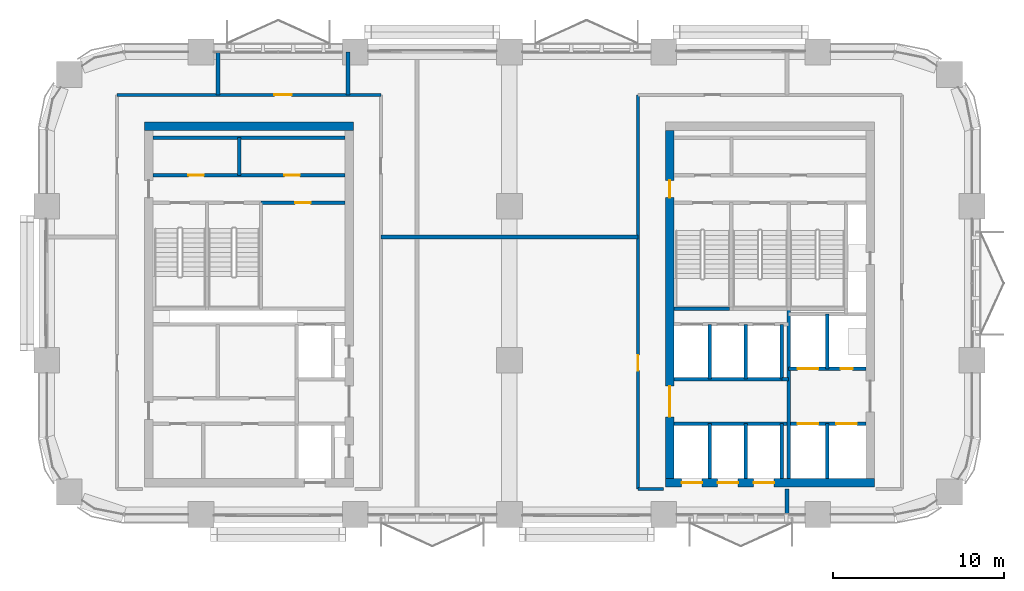
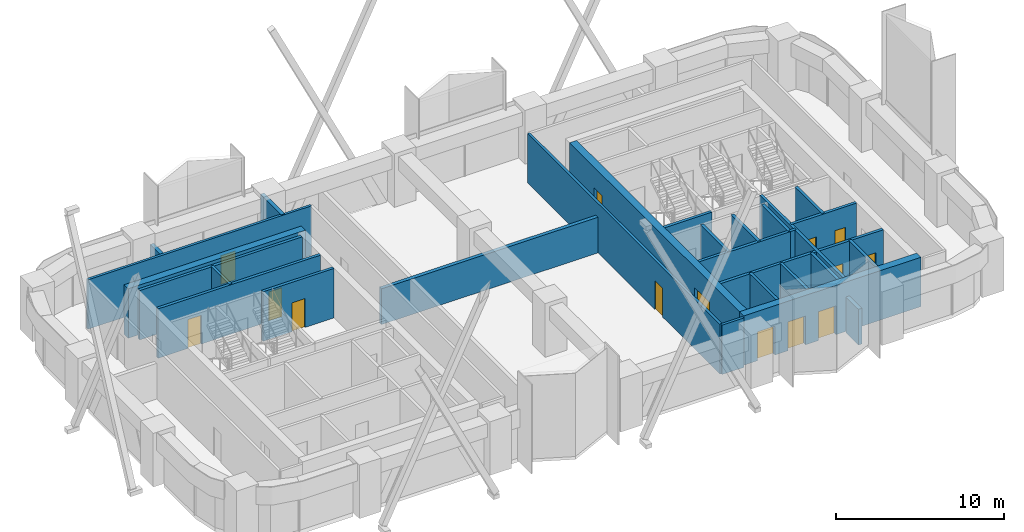
# One storey, part 10 of 14: 28 walls, 14 doors, 14 openings.
"""IFC4 building model written with IfcOpenShell, lengths in metres."""

from ifc_helpers import new_model, si_unit, direction, frame, frame_2d, origin, place, context, subcontext, project, spatial, rectangle, extrude, material, layer, layer_set, type_object, element, fill, save


model = new_model("IFC4")

# Units and contexts
model_context = context("Model", 3, precision=1e-05, world=origin(), true_north=direction((0.0, 1.0)))
body_context = subcontext(model_context, "Body", "Model", "MODEL_VIEW")
ifc_project = project(units=[si_unit("LENGTHUNIT", "METRE"), si_unit("AREAUNIT", "SQUARE_METRE"), si_unit("VOLUMEUNIT", "CUBIC_METRE"), si_unit("PLANEANGLEUNIT", "RADIAN"), si_unit("MASSUNIT", "GRAM", prefix="KILO")], contexts=[model_context])

# Site, building, storey
site_placement = place(None, origin())
site = spatial("IfcSite", under=ifc_project, at=site_placement, CompositionType="ELEMENT")
building_placement = place(site_placement, origin())
building = spatial("IfcBuilding", under=site, at=building_placement, Name="Tessera Arch", CompositionType="ELEMENT")
storey_placement = place(building_placement, frame((0.0, 0.0, 181.699951171875)))
storey = spatial("IfcBuildingStorey", under=building, at=storey_placement, Name="L43", CompositionType="ELEMENT", Elevation=181.699951171875)

# Walls
ifc_material_1 = material(Name="Gypsum board on steel stud", Category="steel")
ifc_layer_1 = layer(ifc_material_1, 0.125)
ifc_layer_set_1 = layer_set([ifc_layer_1], Name="Core partition 125 EI 60")
wall_type_1 = type_object("IfcWallType", Name="Core partition 125 EI 60", PredefinedType="PARTITIONING", material=ifc_layer_set_1)
wall_1_placement = place(storey_placement, frame((42.89990234375, 34.89990234375, 0.0), z_axis=(0.0, 0.0, 1.0), x_axis=(1.0, 0.0, 0.0)))
element("IfcWall", 1, at=wall_1_placement, inside=storey, type_object=wall_type_1, Name="L43 C1 partition wall 19", PredefinedType="PARTITIONING", context=body_context, shape_type="SweptSolid", body=[
    extrude(rectangle(XDim=0.400146484375, YDim=0.199951171875, at=frame_2d((0.2001953125, 0.0))), origin(), (0.0, 0.0, 1.0), 3.60009765625),
])
wall_2_placement = place(storey_placement, frame((11.239990234375, 46.800048828125, 0.0), z_axis=(0.0, 0.0, 1.0), x_axis=(0.0, 1.0, 0.0)))
element("IfcWall", 2, at=wall_2_placement, inside=storey, type_object=wall_type_1, Name="L43 C2 partition wall 5", PredefinedType="PARTITIONING", context=body_context, shape_type="SweptSolid", body=[
    extrude(rectangle(XDim=2.199951171875, YDim=0.199951171875, at=frame_2d((1.10009765625, 0.0))), origin(), (0.0, 0.0, 1.0), 3.60009765625),
])

# Wall, opening, door
wall_3_placement = place(storey_placement, frame((12.5, 45.199951171875, 0.0), z_axis=(0.0, 0.0, 1.0), x_axis=(1.0, 0.0, 0.0)))
wall_3 = element("IfcWall", 3, at=wall_3_placement, inside=storey, type_object=wall_type_1, Name="L43 C2 partition wall 22", PredefinedType="PARTITIONING", context=body_context, shape_type="SweptSolid", body=[
    extrude(rectangle(XDim=4.89990234375, YDim=0.199951171875, at=frame_2d((2.449951171875, 0.0))), origin(), (0.0, 0.0, 1.0), 3.60009765625),
])
opening_1_placement = place(wall_3_placement, frame((2.0, 0.0, 0.0)))
opening_1 = element("IfcOpeningElement", 4, at=opening_1_placement, cuts=wall_3, Name="Opening L43-C31", PredefinedType="OPENING", context=body_context, shape_type="SweptSolid", body=[
    extrude(rectangle(XDim=0.89990234375, YDim=2.10009765625, at=frame_2d((0.449951171875, 1.050048828125))), frame((0.0, 0.10986328125, 0.0), z_axis=(0.0, -1.0, 0.0), x_axis=(1.0, 0.0, 0.0)), (0.0, 0.0, 1.0), 0.219970703125),
])
ifc_material_2 = material(Name="Steel door leaf", Category="steel")
door_type_1 = type_object("IfcDoorType", Name="Store door FD30S 900 x 2100", OperationType="SINGLE_SWING_LEFT", PredefinedType="DOOR", material=ifc_material_2)
door_1_placement = place(opening_1_placement, origin())
door_1 = element("IfcDoor", 5, at=door_1_placement, inside=storey, type_object=door_type_1, Name="L43 C2 door 12 C31 type D09", OperationType="SINGLE_SWING_RIGHT", OverallHeight=2.10009765625, OverallWidth=0.89990234375, PredefinedType="DOOR", context=body_context, shape_type="SweptSolid", body=[
    extrude(rectangle(XDim=0.89990234375, YDim=2.10009765625, at=frame_2d((0.449951171875, 1.050048828125))), frame((0.0, 0.02490234375, 0.0), z_axis=(0.0, -1.0, 0.0), x_axis=(1.0, 0.0, 0.0)), (0.0, 0.0, 1.0), 0.050048828125),
])
fill(opening_1, door_1)

# Wall, openings, doors
wall_4_placement = place(storey_placement, frame((6.199951171875, 46.800048828125, 0.0), z_axis=(0.0, 0.0, 1.0), x_axis=(1.0, 0.0, 0.0)))
wall_4 = element("IfcWall", 6, at=wall_4_placement, inside=storey, type_object=wall_type_1, Name="L43 C2 partition wall 24", PredefinedType="PARTITIONING", context=body_context, shape_type="SweptSolid", body=[
    extrude(rectangle(XDim=11.199951171875, YDim=0.199951171875, at=frame_2d((5.60009765625, 0.0))), origin(), (0.0, 0.0, 1.0), 3.60009765625),
])
opening_2_placement = place(wall_4_placement, frame((2.070068359375, 0.0, 0.0)))
opening_2 = element("IfcOpeningElement", 7, at=opening_2_placement, cuts=wall_4, Name="Opening L43-C29", PredefinedType="OPENING", context=body_context, shape_type="SweptSolid", body=[
    extrude(rectangle(XDim=0.89990234375, YDim=2.10009765625, at=frame_2d((0.449951171875, 1.050048828125))), frame((0.0, 0.10986328125, 0.0), z_axis=(0.0, -1.0, 0.0), x_axis=(1.0, 0.0, 0.0)), (0.0, 0.0, 1.0), 0.219970703125),
])
opening_3_placement = place(wall_4_placement, frame((7.669921875, 0.0, 0.0)))
opening_3 = element("IfcOpeningElement", 8, at=opening_3_placement, cuts=wall_4, Name="Opening L43-C30", PredefinedType="OPENING", context=body_context, shape_type="SweptSolid", body=[
    extrude(rectangle(XDim=0.89990234375, YDim=2.10009765625, at=frame_2d((0.449951171875, 1.050048828125))), frame((0.0, 0.10986328125, 0.0), z_axis=(0.0, -1.0, 0.0), x_axis=(1.0, 0.0, 0.0)), (0.0, 0.0, 1.0), 0.219970703125),
])
door_2_placement = place(opening_2_placement, origin())
door_2 = element("IfcDoor", 9, at=door_2_placement, inside=storey, type_object=door_type_1, Name="L43 C2 door 10 C29 type D09", OperationType="SINGLE_SWING_LEFT", OverallHeight=2.10009765625, OverallWidth=0.89990234375, PredefinedType="DOOR", context=body_context, shape_type="SweptSolid", body=[
    extrude(rectangle(XDim=0.89990234375, YDim=2.10009765625, at=frame_2d((0.449951171875, 1.050048828125))), frame((0.0, 0.02490234375, 0.0), z_axis=(0.0, -1.0, 0.0), x_axis=(1.0, 0.0, 0.0)), (0.0, 0.0, 1.0), 0.050048828125),
])
fill(opening_2, door_2)
door_3_placement = place(opening_3_placement, origin())
door_3 = element("IfcDoor", 10, at=door_3_placement, inside=storey, type_object=door_type_1, Name="L43 C2 door 11 C30 type D09", OperationType="SINGLE_SWING_RIGHT", OverallHeight=2.10009765625, OverallWidth=0.89990234375, PredefinedType="DOOR", context=body_context, shape_type="SweptSolid", body=[
    extrude(rectangle(XDim=0.89990234375, YDim=2.10009765625, at=frame_2d((0.449951171875, 1.050048828125))), frame((0.0, 0.02490234375, 0.0), z_axis=(0.0, -1.0, 0.0), x_axis=(1.0, 0.0, 0.0)), (0.0, 0.0, 1.0), 0.050048828125),
])
fill(opening_3, door_3)

# Wall
wall_5_placement = place(storey_placement, frame((6.199951171875, 49.0, 0.0), z_axis=(0.0, 0.0, 1.0), x_axis=(1.0, 0.0, 0.0)))
element("IfcWall", 11, at=wall_5_placement, inside=storey, type_object=wall_type_1, Name="L43 C2 partition wall 25", PredefinedType="PARTITIONING", context=body_context, shape_type="SweptSolid", body=[
    extrude(rectangle(XDim=11.199951171875, YDim=0.199951171875, at=frame_2d((5.60009765625, 0.0))), origin(), (0.0, 0.0, 1.0), 3.60009765625),
])

# Wall, openings, doors
ifc_material_3 = material(Name="Concrete C60/75", Category="concrete")
ifc_layer_2 = layer(ifc_material_3, 0.5)
ifc_layer_set_2 = layer_set([ifc_layer_2], Name="Core shell wall 500 C60-75")
wall_type_2 = type_object("IfcWallType", Name="Core shell wall 500 C60-75", PredefinedType="SHEAR", material=ifc_layer_set_2)
wall_6_placement = place(storey_placement, frame((36.10009765625, 28.85009765625, 0.0), z_axis=(0.0, 0.0, 1.0), x_axis=(1.0, 0.0, 0.0)))
wall_6 = element("IfcWall", 12, at=wall_6_placement, inside=storey, type_object=wall_type_2, Name="L43 C1 core wall S", PredefinedType="SHEAR", context=body_context, shape_type="SweptSolid", body=[
    extrude(rectangle(XDim=12.199951171875, YDim=0.5, at=frame_2d((6.10009765625, 0.0))), origin(), (0.0, 0.0, 1.0), 3.60009765625),
])
opening_4_placement = place(wall_6_placement, frame((0.949951171875, 0.0, 0.0)))
opening_4 = element("IfcOpeningElement", 13, at=opening_4_placement, cuts=wall_6, Name="Opening L43-C01", PredefinedType="OPENING", context=body_context, shape_type="SweptSolid", body=[
    extrude(rectangle(XDim=1.199951171875, YDim=2.10009765625, at=frame_2d((0.60009765625, 1.050048828125))), frame((0.0, 0.260009765625, 0.0), z_axis=(0.0, -1.0, 0.0), x_axis=(1.0, 0.0, 0.0)), (0.0, 0.0, 1.0), 0.52001953125),
])
opening_5_placement = place(wall_6_placement, frame((3.050048828125, 0.0, 0.0)))
opening_5 = element("IfcOpeningElement", 14, at=opening_5_placement, cuts=wall_6, Name="Opening L43-C03", PredefinedType="OPENING", context=body_context, shape_type="SweptSolid", body=[
    extrude(rectangle(XDim=1.199951171875, YDim=2.10009765625, at=frame_2d((0.60009765625, 1.050048828125))), frame((0.0, 0.260009765625, 0.0), z_axis=(0.0, -1.0, 0.0), x_axis=(1.0, 0.0, 0.0)), (0.0, 0.0, 1.0), 0.52001953125),
])
opening_6_placement = place(wall_6_placement, frame((5.14990234375, 0.0, 0.0)))
opening_6 = element("IfcOpeningElement", 15, at=opening_6_placement, cuts=wall_6, Name="Opening L43-C05", PredefinedType="OPENING", context=body_context, shape_type="SweptSolid", body=[
    extrude(rectangle(XDim=1.199951171875, YDim=2.10009765625, at=frame_2d((0.60009765625, 1.050048828125))), frame((0.0, 0.260009765625, 0.0), z_axis=(0.0, -1.0, 0.0), x_axis=(1.0, 0.0, 0.0)), (0.0, 0.0, 1.0), 0.52001953125),
])
ifc_material_4 = material(Name="Stainless steel AISI 304", Category="steel")
door_type_2 = type_object("IfcDoorType", Name="Sliding landing door 1200 x 2100", OperationType="SLIDING_TO_LEFT", PredefinedType="DOOR", material=ifc_material_4)
door_4_placement = place(opening_4_placement, origin())
door_4 = element("IfcDoor", 16, at=door_4_placement, inside=storey, type_object=door_type_2, Name="L43 HR1 lift landing door C01 type LD", OperationType="SLIDING_TO_LEFT", OverallHeight=2.10009765625, OverallWidth=1.199951171875, PredefinedType="DOOR", context=body_context, shape_type="SweptSolid", body=[
    extrude(rectangle(XDim=1.199951171875, YDim=2.10009765625, at=frame_2d((0.60009765625, 1.050048828125))), frame((0.0, 0.02490234375, 0.0), z_axis=(0.0, -1.0, 0.0), x_axis=(1.0, 0.0, 0.0)), (0.0, 0.0, 1.0), 0.050048828125),
])
fill(opening_4, door_4)
door_5_placement = place(opening_5_placement, origin())
door_5 = element("IfcDoor", 17, at=door_5_placement, inside=storey, type_object=door_type_2, Name="L43 HR2 lift landing door C03 type LD", OperationType="SLIDING_TO_LEFT", OverallHeight=2.10009765625, OverallWidth=1.199951171875, PredefinedType="DOOR", context=body_context, shape_type="SweptSolid", body=[
    extrude(rectangle(XDim=1.199951171875, YDim=2.10009765625, at=frame_2d((0.60009765625, 1.050048828125))), frame((0.0, 0.02490234375, 0.0), z_axis=(0.0, -1.0, 0.0), x_axis=(1.0, 0.0, 0.0)), (0.0, 0.0, 1.0), 0.050048828125),
])
fill(opening_5, door_5)
door_6_placement = place(opening_6_placement, origin())
door_6 = element("IfcDoor", 18, at=door_6_placement, inside=storey, type_object=door_type_2, Name="L43 HR3 lift landing door C05 type LD", OperationType="SLIDING_TO_LEFT", OverallHeight=2.10009765625, OverallWidth=1.199951171875, PredefinedType="DOOR", context=body_context, shape_type="SweptSolid", body=[
    extrude(rectangle(XDim=1.199951171875, YDim=2.10009765625, at=frame_2d((0.60009765625, 1.050048828125))), frame((0.0, 0.02490234375, 0.0), z_axis=(0.0, -1.0, 0.0), x_axis=(1.0, 0.0, 0.0)), (0.0, 0.0, 1.0), 0.050048828125),
])
fill(opening_6, door_6)

wall_7_placement = place(storey_placement, frame((36.35009765625, 29.10009765625, 0.0), z_axis=(0.0, 0.0, 1.0), x_axis=(0.0, 1.0, 0.0)))
wall_7 = element("IfcWall", 19, at=wall_7_placement, inside=storey, type_object=wall_type_2, Name="L43 C1 core wall W", PredefinedType="SHEAR", context=body_context, shape_type="SweptSolid", body=[
    extrude(rectangle(XDim=20.2998046875, YDim=0.5, at=frame_2d((10.14990234375, 0.0))), origin(), (0.0, 0.0, 1.0), 3.60009765625),
])
opening_7_placement = place(wall_7_placement, frame((3.60009765625, 0.0, 0.0)))
opening_7 = element("IfcOpeningElement", 20, at=opening_7_placement, cuts=wall_7, Name="Opening L43-C10", PredefinedType="OPENING", context=body_context, shape_type="SweptSolid", body=[
    extrude(rectangle(XDim=1.800048828125, YDim=2.10009765625, at=frame_2d((0.89990234375, 1.050048828125))), frame((0.0, 0.260009765625, 0.0), z_axis=(0.0, -1.0, 0.0), x_axis=(1.0, 0.0, 0.0)), (0.0, 0.0, 1.0), 0.52001953125),
])
opening_8_placement = place(wall_7_placement, frame((16.39990234375, 0.0, 0.0)))
opening_8 = element("IfcOpeningElement", 21, at=opening_8_placement, cuts=wall_7, Name="Opening L43-C17", PredefinedType="OPENING", context=body_context, shape_type="SweptSolid", body=[
    extrude(rectangle(XDim=1.0, YDim=2.10009765625, at=frame_2d((0.5, 1.050048828125))), frame((0.0, 0.260009765625, 0.0), z_axis=(0.0, -1.0, 0.0), x_axis=(1.0, 0.0, 0.0)), (0.0, 0.0, 1.0), 0.52001953125),
])
ifc_material_5 = material(Name="Steel door leaf", Category="steel")
door_type_3 = type_object("IfcDoorType", Name="Corridor door FD60 1000 x 2100", OperationType="SINGLE_SWING_LEFT", PredefinedType="DOOR", material=ifc_material_5)
door_7_placement = place(opening_8_placement, origin())
door_7 = element("IfcDoor", 22, at=door_7_placement, inside=storey, type_object=door_type_3, Name="L43 C1 door 17 C17 type D12", OperationType="SINGLE_SWING_RIGHT", OverallHeight=2.10009765625, OverallWidth=1.0, PredefinedType="DOOR", context=body_context, shape_type="SweptSolid", body=[
    extrude(rectangle(XDim=1.0, YDim=2.10009765625, at=frame_2d((0.5, 1.050048828125))), frame((0.0, 0.02490234375, 0.0), z_axis=(0.0, -1.0, 0.0), x_axis=(1.0, 0.0, 0.0)), (0.0, 0.0, 1.0), 0.050048828125),
])
fill(opening_8, door_7)
ifc_material_6 = material(Name="Glazed steel door leaf", Category="steel")
door_type_4 = type_object("IfcDoorType", Name="Lobby double door FD30S 1800 x 2100", OperationType="DOUBLE_DOOR_SINGLE_SWING", PredefinedType="DOOR", material=ifc_material_6)
door_8_placement = place(opening_7_placement, origin())
door_8 = element("IfcDoor", 23, at=door_8_placement, inside=storey, type_object=door_type_4, Name="L43 C1 door 10 C10 type D06", OperationType="DOUBLE_DOOR_SINGLE_SWING", OverallHeight=2.10009765625, OverallWidth=1.800048828125, PredefinedType="DOOR", context=body_context, shape_type="SweptSolid", body=[
    extrude(rectangle(XDim=1.800048828125, YDim=2.10009765625, at=frame_2d((0.89990234375, 1.050048828125))), frame((0.0, 0.02490234375, 0.0), z_axis=(0.0, -1.0, 0.0), x_axis=(1.0, 0.0, 0.0)), (0.0, 0.0, 1.0), 0.050048828125),
])
fill(opening_7, door_8)

# Walls
wall_8_placement = place(storey_placement, frame((5.699951171875, 49.64990234375, 0.0), z_axis=(0.0, 0.0, 1.0), x_axis=(1.0, 0.0, 0.0)))
element("IfcWall", 24, at=wall_8_placement, inside=storey, type_object=wall_type_2, Name="L43 C2 core wall N", PredefinedType="SHEAR", context=body_context, shape_type="SweptSolid", body=[
    extrude(rectangle(XDim=12.199951171875, YDim=0.5, at=frame_2d((6.10009765625, 0.0))), origin(), (0.0, 0.0, 1.0), 3.60009765625),
])
ifc_material_7 = material(Name="Gypsum board on deep steel stud with mineral wool", Category="steel")
ifc_layer_3 = layer(ifc_material_7, 0.175048828125)
ifc_layer_set_3 = layer_set([ifc_layer_3], Name="Corridor wall 175 EI 60")
wall_type_3 = type_object("IfcWallType", Name="Corridor wall 175 EI 60", PredefinedType="PARTITIONING", material=ifc_layer_set_3)
wall_9_placement = place(storey_placement, frame((34.5, 28.5, 0.0), z_axis=(0.0, 0.0, 1.0), x_axis=(1.0, 0.0, 0.0)))
element("IfcWall", 25, at=wall_9_placement, inside=storey, type_object=wall_type_3, Name="L43 partition 3", PredefinedType="PARTITIONING", context=body_context, shape_type="SweptSolid", body=[
    extrude(rectangle(XDim=1.5, YDim=0.175048828125, at=frame_2d((0.75, 0.0))), origin(), (0.0, 0.0, 1.0), 3.60009765625),
])

# Wall, opening, door
wall_10_placement = place(storey_placement, frame((4.10009765625, 51.5, 0.0), z_axis=(0.0, 0.0, 1.0), x_axis=(1.0, 0.0, 0.0)))
wall_10 = element("IfcWall", 26, at=wall_10_placement, inside=storey, type_object=wall_type_3, Name="L43 partition 5", PredefinedType="PARTITIONING", context=body_context, shape_type="SweptSolid", body=[
    extrude(rectangle(XDim=15.39990234375, YDim=0.175048828125, at=frame_2d((7.699951171875, 0.0))), origin(), (0.0, 0.0, 1.0), 3.60009765625),
])
opening_9_placement = place(wall_10_placement, frame((9.184814453125, 0.0, 0.0)))
opening_9 = element("IfcOpeningElement", 27, at=opening_9_placement, cuts=wall_10, Name="Opening L43-D007", PredefinedType="OPENING", context=body_context, shape_type="SweptSolid", body=[
    extrude(rectangle(XDim=1.0, YDim=2.10009765625, at=frame_2d((0.5, 1.050048828125))), frame((0.0, 0.097412109375, 0.0), z_axis=(0.0, -1.0, 0.0), x_axis=(1.0, 0.0, 0.0)), (0.0, 0.0, 1.0), 0.195068359375),
])
ifc_material_8 = material(Name="Fire-rated door leaf")
door_type_5 = type_object("IfcDoorType", Name="Entrance door FD30S 1000 x 2100", OperationType="SINGLE_SWING_LEFT", PredefinedType="DOOR", material=ifc_material_8)
door_9_placement = place(opening_9_placement, origin())
door_9 = element("IfcDoor", 28, at=door_9_placement, inside=storey, type_object=door_type_5, Name="L43 door D007 type D03", OperationType="SINGLE_SWING_LEFT", OverallHeight=2.10009765625, OverallWidth=1.0, PredefinedType="DOOR", context=body_context, shape_type="SweptSolid", body=[
    extrude(rectangle(XDim=1.0, YDim=2.10009765625, at=frame_2d((0.5, 1.050048828125))), frame((0.0, 0.02490234375, 0.0), z_axis=(0.0, -1.0, 0.0), x_axis=(1.0, 0.0, 0.0)), (0.0, 0.0, 1.0), 0.050048828125),
])
fill(opening_9, door_9)

wall_11_placement = place(storey_placement, frame((34.5, 28.5, 0.0), z_axis=(0.0, 0.0, 1.0), x_axis=(0.0, 1.0, 0.0)))
wall_11 = element("IfcWall", 29, at=wall_11_placement, inside=storey, type_object=wall_type_3, Name="L43 partition 9", PredefinedType="PARTITIONING", context=body_context, shape_type="SweptSolid", body=[
    extrude(rectangle(XDim=23.0, YDim=0.175048828125, at=frame_2d((11.5, 0.0))), origin(), (0.0, 0.0, 1.0), 3.60009765625),
])
opening_10_placement = place(wall_11_placement, frame((6.89990234375, 0.0, 0.0)))
opening_10 = element("IfcOpeningElement", 30, at=opening_10_placement, cuts=wall_11, Name="Opening L43-D002", PredefinedType="OPENING", context=body_context, shape_type="SweptSolid", body=[
    extrude(rectangle(XDim=0.89990234375, YDim=2.10009765625, at=frame_2d((0.449951171875, 1.050048828125))), frame((0.0, 0.097412109375, 0.0), z_axis=(0.0, -1.0, 0.0), x_axis=(1.0, 0.0, 0.0)), (0.0, 0.0, 1.0), 0.195068359375),
])
ifc_material_9 = material(Name="Timber door leaf", Category="wood")
door_type_6 = type_object("IfcDoorType", Name="Room door 900 x 2100", OperationType="SINGLE_SWING_LEFT", PredefinedType="DOOR", material=ifc_material_9)
door_10_placement = place(opening_10_placement, origin())
door_10 = element("IfcDoor", 31, at=door_10_placement, inside=storey, type_object=door_type_6, Name="L43 door D002 type D01", OperationType="SINGLE_SWING_RIGHT", OverallHeight=2.10009765625, OverallWidth=0.89990234375, PredefinedType="DOOR", context=body_context, shape_type="SweptSolid", body=[
    extrude(rectangle(XDim=0.89990234375, YDim=2.10009765625, at=frame_2d((0.449951171875, 1.050048828125))), frame((0.0, 0.02490234375, 0.0), z_axis=(0.0, -1.0, 0.0), x_axis=(1.0, 0.0, 0.0)), (0.0, 0.0, 1.0), 0.050048828125),
])
fill(opening_10, door_10)

# Walls
ifc_material_10 = material(Name="Double gypsum board on twin steel stud with acoustic mineral wool", Category="steel")
ifc_layer_4 = layer(ifc_material_10, 0.25)
ifc_layer_set_4 = layer_set([ifc_layer_4], Name="Party wall 250 EI 60")
wall_type_4 = type_object("IfcWallType", Name="Party wall 250 EI 60", PredefinedType="PARTITIONING", material=ifc_layer_set_4)
wall_12_placement = place(storey_placement, frame((19.5, 43.199951171875, 0.0), z_axis=(0.0, 0.0, 1.0), x_axis=(1.0, 0.0, 0.0)))
element("IfcWall", 32, at=wall_12_placement, inside=storey, type_object=wall_type_4, Name="L43 partition 12", PredefinedType="PARTITIONING", context=body_context, shape_type="SweptSolid", body=[
    extrude(rectangle(XDim=15.0, YDim=0.25, at=frame_2d((7.5, 0.0))), origin(), (0.0, 0.0, 1.0), 2.60009765625),
])
wall_13_placement = place(storey_placement, frame((9.989990234375, 51.5, 0.0), z_axis=(0.0, 0.0, 1.0), x_axis=(0.0, 1.0, 0.0)))
element("IfcWall", 33, at=wall_13_placement, inside=storey, type_object=wall_type_4, Name="L43 partition 13", PredefinedType="PARTITIONING", context=body_context, shape_type="SweptSolid", body=[
    extrude(rectangle(XDim=2.5, YDim=0.25, at=frame_2d((1.25, 0.0))), origin(), (0.0, 0.0, 1.0), 2.60009765625),
])
wall_14_placement = place(storey_placement, frame((17.5791015625, 51.5, 0.0), z_axis=(0.0, 0.0, 1.0), x_axis=(0.0, 1.0, 0.0)))
element("IfcWall", 34, at=wall_14_placement, inside=storey, type_object=wall_type_4, Name="L43 partition 14", PredefinedType="PARTITIONING", context=body_context, shape_type="SweptSolid", body=[
    extrude(rectangle(XDim=2.5, YDim=0.25, at=frame_2d((1.25, 0.0))), origin(), (0.0, 0.0, 1.0), 3.60009765625),
])
wall_15_placement = place(storey_placement, frame((43.199951171875, 27.0, 0.0), z_axis=(0.0, 0.0, 1.0), x_axis=(0.0, 1.0, 0.0)))
element("IfcWall", 35, at=wall_15_placement, inside=storey, type_object=wall_type_4, Name="L43 partition 16", PredefinedType="PARTITIONING", context=body_context, shape_type="SweptSolid", body=[
    extrude(rectangle(XDim=1.5, YDim=0.25, at=frame_2d((0.75, 0.0))), origin(), (0.0, 0.0, 1.0), 2.60009765625),
])
ifc_material_11 = material(Name="Concrete C40/50", Category="concrete")
ifc_layer_5 = layer(ifc_material_11, 0.199951171875)
ifc_layer_set_5 = layer_set([ifc_layer_5], Name="Shaft wall 200 EI 120")
wall_type_5 = type_object("IfcWallType", Name="Shaft wall 200 EI 120", PredefinedType="SOLIDWALL", material=ifc_layer_set_5)
wall_16_placement = place(storey_placement, frame((38.699951171875, 29.10009765625, 0.0), z_axis=(0.0, 0.0, 1.0), x_axis=(0.0, 1.0, 0.0)))
element("IfcWall", 36, at=wall_16_placement, inside=storey, type_object=wall_type_5, Name="L43 C1 shaft wall 1", PredefinedType="SOLIDWALL", context=body_context, shape_type="SweptSolid", body=[
    extrude(rectangle(XDim=3.199951171875, YDim=0.199951171875, at=frame_2d((1.60009765625, 0.0))), origin(), (0.0, 0.0, 1.0), 3.60009765625),
])
wall_17_placement = place(storey_placement, frame((38.699951171875, 34.89990234375, 0.0), z_axis=(0.0, 0.0, 1.0), x_axis=(0.0, 1.0, 0.0)))
element("IfcWall", 37, at=wall_17_placement, inside=storey, type_object=wall_type_5, Name="L43 C1 shaft wall 2", PredefinedType="SOLIDWALL", context=body_context, shape_type="SweptSolid", body=[
    extrude(rectangle(XDim=3.2001953125, YDim=0.199951171875, at=frame_2d((1.60009765625, 0.0))), origin(), (0.0, 0.0, 1.0), 3.60009765625),
])
wall_18_placement = place(storey_placement, frame((40.800048828125, 29.10009765625, 0.0), z_axis=(0.0, 0.0, 1.0), x_axis=(0.0, 1.0, 0.0)))
element("IfcWall", 38, at=wall_18_placement, inside=storey, type_object=wall_type_5, Name="L43 C1 shaft wall 6", PredefinedType="SOLIDWALL", context=body_context, shape_type="SweptSolid", body=[
    extrude(rectangle(XDim=3.199951171875, YDim=0.199951171875, at=frame_2d((1.60009765625, 0.0))), origin(), (0.0, 0.0, 1.0), 3.60009765625),
])
wall_19_placement = place(storey_placement, frame((40.800048828125, 34.89990234375, 0.0), z_axis=(0.0, 0.0, 1.0), x_axis=(0.0, 1.0, 0.0)))
element("IfcWall", 39, at=wall_19_placement, inside=storey, type_object=wall_type_5, Name="L43 C1 shaft wall 7", PredefinedType="SOLIDWALL", context=body_context, shape_type="SweptSolid", body=[
    extrude(rectangle(XDim=3.2001953125, YDim=0.199951171875, at=frame_2d((1.60009765625, 0.0))), origin(), (0.0, 0.0, 1.0), 3.60009765625),
])
wall_20_placement = place(storey_placement, frame((42.89990234375, 29.10009765625, 0.0), z_axis=(0.0, 0.0, 1.0), x_axis=(0.0, 1.0, 0.0)))
element("IfcWall", 40, at=wall_20_placement, inside=storey, type_object=wall_type_5, Name="L43 C1 shaft wall 8", PredefinedType="SOLIDWALL", context=body_context, shape_type="SweptSolid", body=[
    extrude(rectangle(XDim=3.199951171875, YDim=0.199951171875, at=frame_2d((1.60009765625, 0.0))), origin(), (0.0, 0.0, 1.0), 3.60009765625),
])
wall_21_placement = place(storey_placement, frame((42.89990234375, 34.89990234375, 0.0), z_axis=(0.0, 0.0, 1.0), x_axis=(0.0, 1.0, 0.0)))
element("IfcWall", 41, at=wall_21_placement, inside=storey, type_object=wall_type_5, Name="L43 C1 shaft wall 9", PredefinedType="SOLIDWALL", context=body_context, shape_type="SweptSolid", body=[
    extrude(rectangle(XDim=3.2001953125, YDim=0.199951171875, at=frame_2d((1.60009765625, 0.0))), origin(), (0.0, 0.0, 1.0), 3.60009765625),
])
wall_22_placement = place(storey_placement, frame((43.300048828125, 29.10009765625, 0.0), z_axis=(0.0, 0.0, 1.0), x_axis=(0.0, 1.0, 0.0)))
element("IfcWall", 42, at=wall_22_placement, inside=storey, type_object=wall_type_5, Name="L43 C1 shaft wall 10", PredefinedType="SOLIDWALL", context=body_context, shape_type="SweptSolid", body=[
    extrude(rectangle(XDim=9.89990234375, YDim=0.199951171875, at=frame_2d((4.949951171875, 0.0))), origin(), (0.0, 0.0, 1.0), 3.60009765625),
])
for number, where, z_axis, x_axis, name in (
    (43, (45.550048828125, 29.10009765625, 0.0), (0.0, 0.0, 1.0), (0.0, 1.0, 0.0), "L43 C1 shaft wall 13"),
    (44, (45.550048828125, 35.5, 0.0), (0.0, 0.0, 1.0), (0.0, 1.0, 0.0), "L43 C1 shaft wall 14"),
):
    element("IfcWall", number, at=place(storey_placement, frame(where, z_axis=z_axis, x_axis=x_axis)), inside=storey, type_object=wall_type_5, Name=name, PredefinedType="SOLIDWALL", context=body_context, shape_type="SweptSolid", body=[
        extrude(rectangle(XDim=3.199951171875, YDim=0.199951171875, at=frame_2d((1.60009765625, 0.0))), origin(), (0.0, 0.0, 1.0), 3.60009765625),
    ])

# Wall, openings, doors
wall_23_placement = place(storey_placement, frame((36.60009765625, 32.300048828125, 0.0), z_axis=(0.0, 0.0, 1.0), x_axis=(1.0, 0.0, 0.0)))
wall_23 = element("IfcWall", 45, at=wall_23_placement, inside=storey, type_object=wall_type_5, Name="L43 C1 shaft wall 18", PredefinedType="SOLIDWALL", context=body_context, shape_type="SweptSolid", body=[
    extrude(rectangle(XDim=11.199951171875, YDim=0.199951171875, at=frame_2d((5.60009765625, 0.0))), origin(), (0.0, 0.0, 1.0), 3.60009765625),
])
opening_11_placement = place(wall_23_placement, frame((7.22509765625, 0.0, 0.0)))
opening_11 = element("IfcOpeningElement", 46, at=opening_11_placement, cuts=wall_23, Name="Opening L43-C07", PredefinedType="OPENING", context=body_context, shape_type="SweptSolid", body=[
    extrude(rectangle(XDim=1.199951171875, YDim=2.10009765625, at=frame_2d((0.60009765625, 1.050048828125))), frame((0.0, 0.10986328125, 0.0), z_axis=(0.0, -1.0, 0.0), x_axis=(1.0, 0.0, 0.0)), (0.0, 0.0, 1.0), 0.219970703125),
])
opening_12_placement = place(wall_23_placement, frame((9.47509765625, 0.0, 0.0)))
opening_12 = element("IfcOpeningElement", 47, at=opening_12_placement, cuts=wall_23, Name="Opening L43-C08", PredefinedType="OPENING", context=body_context, shape_type="SweptSolid", body=[
    extrude(rectangle(XDim=1.199951171875, YDim=2.10009765625, at=frame_2d((0.60009765625, 1.050048828125))), frame((0.0, 0.10986328125, 0.0), z_axis=(0.0, -1.0, 0.0), x_axis=(1.0, 0.0, 0.0)), (0.0, 0.0, 1.0), 0.219970703125),
])
door_11_placement = place(opening_11_placement, origin())
door_11 = element("IfcDoor", 48, at=door_11_placement, inside=storey, type_object=door_type_2, Name="L43 FF1 lift landing door C07 type LD", OperationType="SLIDING_TO_LEFT", OverallHeight=2.10009765625, OverallWidth=1.199951171875, PredefinedType="DOOR", context=body_context, shape_type="SweptSolid", body=[
    extrude(rectangle(XDim=1.199951171875, YDim=2.10009765625, at=frame_2d((0.60009765625, 1.050048828125))), frame((0.0, 0.02490234375, 0.0), z_axis=(0.0, -1.0, 0.0), x_axis=(1.0, 0.0, 0.0)), (0.0, 0.0, 1.0), 0.050048828125),
])
fill(opening_11, door_11)
door_12_placement = place(opening_12_placement, origin())
door_12 = element("IfcDoor", 49, at=door_12_placement, inside=storey, type_object=door_type_2, Name="L43 FF2 lift landing door C08 type LD", OperationType="SLIDING_TO_LEFT", OverallHeight=2.10009765625, OverallWidth=1.199951171875, PredefinedType="DOOR", context=body_context, shape_type="SweptSolid", body=[
    extrude(rectangle(XDim=1.199951171875, YDim=2.10009765625, at=frame_2d((0.60009765625, 1.050048828125))), frame((0.0, 0.02490234375, 0.0), z_axis=(0.0, -1.0, 0.0), x_axis=(1.0, 0.0, 0.0)), (0.0, 0.0, 1.0), 0.050048828125),
])
fill(opening_12, door_12)

# Wall
wall_24_placement = place(storey_placement, frame((36.60009765625, 34.89990234375, 0.0), z_axis=(0.0, 0.0, 1.0), x_axis=(1.0, 0.0, 0.0)))
element("IfcWall", 50, at=wall_24_placement, inside=storey, type_object=wall_type_5, Name="L43 C1 shaft wall 20", PredefinedType="SOLIDWALL", context=body_context, shape_type="SweptSolid", body=[
    extrude(rectangle(XDim=6.2998046875, YDim=0.199951171875, at=frame_2d((3.14990234375, 0.0))), origin(), (0.0, 0.0, 1.0), 3.60009765625),
])

# Wall, openings, doors
wall_25_placement = place(storey_placement, frame((43.300048828125, 35.5, 0.0), z_axis=(0.0, 0.0, 1.0), x_axis=(1.0, 0.0, 0.0)))
wall_25 = element("IfcWall", 51, at=wall_25_placement, inside=storey, type_object=wall_type_5, Name="L43 C1 shaft wall 21", PredefinedType="SOLIDWALL", context=body_context, shape_type="SweptSolid", body=[
    extrude(rectangle(XDim=4.5, YDim=0.199951171875, at=frame_2d((2.25, 0.0))), origin(), (0.0, 0.0, 1.0), 3.60009765625),
])
opening_13_placement = place(wall_25_placement, frame((0.52490234375, 0.0, 0.0)))
opening_13 = element("IfcOpeningElement", 52, at=opening_13_placement, cuts=wall_25, Name="Opening L43-C09", PredefinedType="OPENING", context=body_context, shape_type="SweptSolid", body=[
    extrude(rectangle(XDim=1.199951171875, YDim=2.10009765625, at=frame_2d((0.60009765625, 1.050048828125))), frame((0.0, 0.10986328125, 0.0), z_axis=(0.0, -1.0, 0.0), x_axis=(1.0, 0.0, 0.0)), (0.0, 0.0, 1.0), 0.219970703125),
])
opening_14_placement = place(wall_25_placement, frame((3.02490234375, 0.0, 0.0)))
opening_14 = element("IfcOpeningElement", 53, at=opening_14_placement, cuts=wall_25, Name="Opening L43-C16", PredefinedType="OPENING", context=body_context, shape_type="SweptSolid", body=[
    extrude(rectangle(XDim=0.699951171875, YDim=2.10009765625, at=frame_2d((0.35009765625, 1.050048828125))), frame((0.0, 0.10986328125, 0.0), z_axis=(0.0, -1.0, 0.0), x_axis=(1.0, 0.0, 0.0)), (0.0, 0.0, 1.0), 0.219970703125),
])
ifc_material_12 = material(Name="Steel door leaf", Category="steel")
door_type_7 = type_object("IfcDoorType", Name="Service shaft door FD60 700 x 2100", OperationType="SINGLE_SWING_LEFT", PredefinedType="DOOR", material=ifc_material_12)
door_13_placement = place(opening_14_placement, origin())
door_13 = element("IfcDoor", 54, at=door_13_placement, inside=storey, type_object=door_type_7, Name="L43 C1 door 16 C16 type D07", OperationType="SINGLE_SWING_RIGHT", OverallHeight=2.10009765625, OverallWidth=0.699951171875, PredefinedType="DOOR", context=body_context, shape_type="SweptSolid", body=[
    extrude(rectangle(XDim=0.699951171875, YDim=2.10009765625, at=frame_2d((0.35009765625, 1.050048828125))), frame((0.0, 0.02490234375, 0.0), z_axis=(0.0, -1.0, 0.0), x_axis=(1.0, 0.0, 0.0)), (0.0, 0.0, 1.0), 0.050048828125),
])
fill(opening_14, door_13)
door_14_placement = place(opening_13_placement, origin())
door_14 = element("IfcDoor", 55, at=door_14_placement, inside=storey, type_object=door_type_2, Name="L43 SV2 lift landing door C09 type LD", OperationType="SLIDING_TO_LEFT", OverallHeight=2.10009765625, OverallWidth=1.199951171875, PredefinedType="DOOR", context=body_context, shape_type="SweptSolid", body=[
    extrude(rectangle(XDim=1.199951171875, YDim=2.10009765625, at=frame_2d((0.60009765625, 1.050048828125))), frame((0.0, 0.02490234375, 0.0), z_axis=(0.0, -1.0, 0.0), x_axis=(1.0, 0.0, 0.0)), (0.0, 0.0, 1.0), 0.050048828125),
])
fill(opening_13, door_14)

# Wall
ifc_material_13 = material(Name="Concrete C40/50", Category="concrete")
ifc_layer_6 = layer(ifc_material_13, 0.199951171875)
ifc_layer_set_6 = layer_set([ifc_layer_6], Name="Stair well wall 200 REI 180")
wall_type_6 = type_object("IfcWallType", Name="Stair well wall 200 REI 180", PredefinedType="SOLIDWALL", material=ifc_layer_set_6)
wall_26_placement = place(storey_placement, frame((36.60009765625, 39.0, 0.0), z_axis=(0.0, 0.0, 1.0), x_axis=(1.0, 0.0, 0.0)))
element("IfcWall", 56, at=wall_26_placement, inside=storey, type_object=wall_type_6, Name="L43 C1 shaft wall 24", PredefinedType="SOLIDWALL", context=body_context, shape_type="SweptSolid", body=[
    extrude(rectangle(XDim=3.25, YDim=0.199951171875, at=frame_2d((1.625, 0.0))), origin(), (0.0, 0.0, 1.0), 3.60009765625),
])

save(model, "model.ifc")
